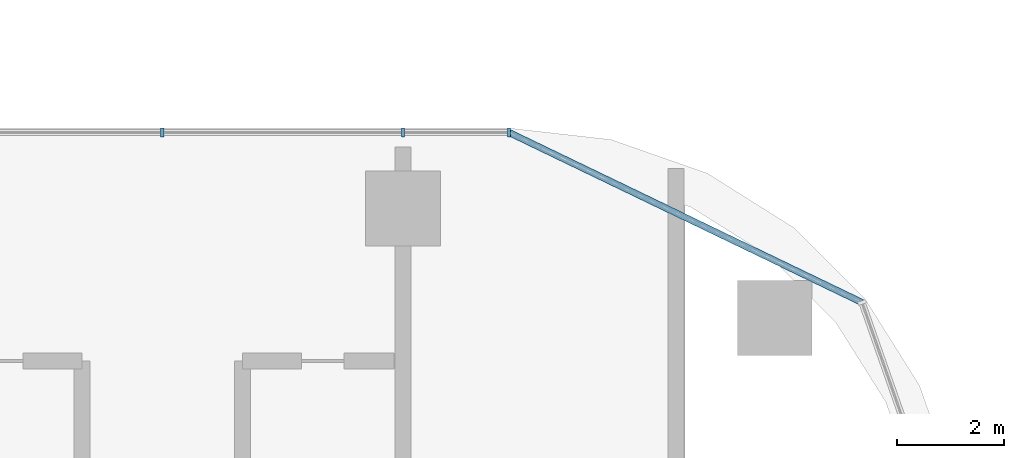
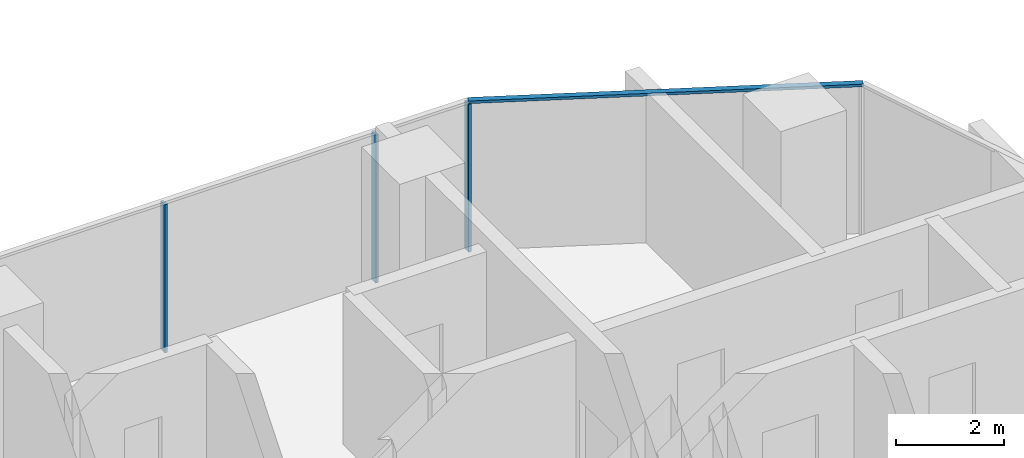
# One storey, part 5 of 33: 4 members, 2 elements without a shape of their own.
"""IFC4 building model written with IfcOpenShell, lengths in metres."""

import ifcopenshell
import ifcopenshell.guid

model = None  # the IFC model being written
_history = None  # IfcOwnerHistory: only IFC2X3 demands one
_inside = {}  # id of a spatial element -> (the spatial element, [elements in it])
_under = {}  # id of a project, library or spatial element -> (it, [spatial elements below it])
_declared = {}  # id of a project -> (the project, [libraries it declares])
_typed = {}  # id of a type object -> (the type object, [elements of that type])
_made_of = {}  # id of a material, layer set ... -> (it, [elements and type objects made of it])


def new_model(schema):
    """Start an empty IFC model of exactly this schema.

    Asked for "IFC4X3", IfcOpenShell would pick the latest addendum, in which some entities
    have other attributes; the version numbers below select the first issue.
    IFC2X3 requires an IfcOwnerHistory on every rooted entity: one is made here for all.
    """
    global model, _history
    if schema == "IFC4X3":
        model = ifcopenshell.file(schema_version=(4, 3, 0, 0))
    else:
        model = ifcopenshell.file(schema=schema)
    _inside.clear()
    _under.clear()
    _declared.clear()
    _typed.clear()
    _made_of.clear()
    _history = None
    if model.schema == "IFC2X3":
        org = make("IfcOrganization", Name="unknown")
        user = make(
            "IfcPersonAndOrganization",
            ThePerson=make("IfcPerson", FamilyName="unknown"),
            TheOrganization=org,
        )
        app = make(
            "IfcApplication",
            ApplicationDeveloper=org,
            Version="unknown",
            ApplicationFullName="unknown",
            ApplicationIdentifier="unknown",
        )
        _history = make(
            "IfcOwnerHistory",
            OwningUser=user,
            OwningApplication=app,
            ChangeAction="ADDED",
            CreationDate=0,
        )
    return model


def make(cls, **values):
    """One entity of the class cls with the attributes given. An attribute that is None is left unset."""
    return model.create_entity(
        cls, **{name: value for name, value in values.items() if value is not None}
    )


def rooted(cls, **values):
    """An entity with a GlobalId (a new one), such as an element, a storey or a relation."""
    return make(cls, GlobalId=ifcopenshell.guid.new(), OwnerHistory=_history, **values)


def si_unit(unit_type, name, prefix=None):
    """IfcSIUnit, for example si_unit("LENGTHUNIT", "METRE", prefix="MILLI")."""
    return make("IfcSIUnit", UnitType=unit_type, Prefix=prefix, Name=name)


def assignment(units):
    """IfcUnitAssignment: the units of a project."""
    return None if units is None else make("IfcUnitAssignment", Units=units)


def point(xyz):
    """IfcCartesianPoint."""
    return None if xyz is None else make("IfcCartesianPoint", Coordinates=xyz)


def direction(xyz):
    """IfcDirection."""
    return None if xyz is None else make("IfcDirection", DirectionRatios=xyz)


def frame(location, z_axis=None, x_axis=None):
    """IfcAxis2Placement3D, a coordinate frame: its origin and axes. An axis left out is left unset."""
    return make(
        "IfcAxis2Placement3D",
        Location=point(location),
        Axis=direction(z_axis),
        RefDirection=direction(x_axis),
    )


def frame_2d(location, x_axis=None):
    """IfcAxis2Placement2D, a coordinate frame in the plane: its origin and x axis."""
    return make(
        "IfcAxis2Placement2D", Location=point(location), RefDirection=direction(x_axis)
    )


def origin():
    """The frame at (0, 0, 0) with its axes left unset."""
    return frame((0.0, 0.0, 0.0))


def origin_2d():
    """The frame at (0, 0) in the plane with its x axis left unset."""
    return frame_2d((0.0, 0.0))


def place(relative_to, where):
    """IfcLocalPlacement: puts the frame where relative to a parent placement (None: the world)."""
    return make(
        "IfcLocalPlacement", PlacementRelTo=relative_to, RelativePlacement=where
    )


def context(
    kind, dimensions, precision=None, world=None, true_north=None, identifier=None
):
    """IfcGeometricRepresentationContext, for example the 3D "Model" context."""
    return make(
        "IfcGeometricRepresentationContext",
        ContextIdentifier=identifier,
        ContextType=kind,
        CoordinateSpaceDimension=dimensions,
        Precision=precision,
        WorldCoordinateSystem=world,
        TrueNorth=true_north,
    )


def subcontext(parent, identifier, kind, view, scale=None):
    """IfcGeometricRepresentationSubContext, for example "Body" below "Model"."""
    return make(
        "IfcGeometricRepresentationSubContext",
        ContextIdentifier=identifier,
        ContextType=kind,
        ParentContext=parent,
        TargetScale=scale,
        TargetView=view,
    )


def project(units=None, contexts=None):
    """IfcProject with its units and contexts."""
    return rooted(
        "IfcProject",
        Name="project",
        RepresentationContexts=contexts,
        UnitsInContext=assignment(units),
    )


def spatial(cls, under=None, at=None, **own):
    """A site, building, storey or space (cls), placed at a placement, below another one or the project."""
    s = rooted(cls, ObjectPlacement=at, **own)
    if under is not None:
        _under.setdefault(under.id(), (under, []))[1].append(s)
    return s


def profile(cls, at=None, kind="AREA", **sizes):
    """A parametric profile (cls). Its sizes go by their IFC names, for example OverallWidth=200.0."""
    return make(cls, ProfileType=kind, Position=at, **sizes)


def rectangle(**sizes):
    """IfcRectangleProfileDef."""
    return profile("IfcRectangleProfileDef", **sizes)


def extrude(swept, where, along, depth):
    """IfcExtrudedAreaSolid: the profile swept, set in the frame where, extruded along a direction by depth."""
    return make(
        "IfcExtrudedAreaSolid",
        SweptArea=swept,
        Position=where,
        ExtrudedDirection=direction(along),
        Depth=depth,
    )


def shape(context_of_items, identifier, shape_type, items):
    """IfcShapeRepresentation: the items that make up one representation, for example the "Body"."""
    return make(
        "IfcShapeRepresentation",
        ContextOfItems=context_of_items,
        RepresentationIdentifier=identifier,
        RepresentationType=shape_type,
        Items=items,
    )


def material(Name=None, Category=None):
    """IfcMaterial."""
    return make("IfcMaterial", Name=Name, Category=Category)


def material_profile(
    of_material, cross_section, Name=None, Category=None, Priority=None
):
    """IfcMaterialProfile: a cross section and its material."""
    return make(
        "IfcMaterialProfile",
        Name=Name,
        Material=of_material,
        Profile=cross_section,
        Priority=Priority,
        Category=Category,
    )


def profile_set(profiles, Name=None, composite=None):
    """IfcMaterialProfileSet."""
    return make(
        "IfcMaterialProfileSet",
        Name=Name,
        MaterialProfiles=profiles,
        CompositeProfile=composite,
    )


def made_of(thing, what):
    """Note that an element or type object is made of a material, layer set ...; save() writes the relation."""
    if what is not None:
        _made_of.setdefault(what.id(), (what, []))[1].append(thing)
    return thing


def type_object(cls, material=None, **own):
    """A type object (cls), such as IfcWallType, which elements share."""
    return made_of(rooted(cls, **own), material)


def element(
    cls,
    number,
    at=None,
    inside=None,
    cuts=None,
    type_object=None,
    material=None,
    context=None,
    identifier="Body",
    shape_type=None,
    held_by="IfcProductDefinitionShape",
    body=None,
    shapes=None,
    **own,
):
    """One element of the class cls, such as IfcWall. Its Tag is "e" and its number.

    at: its placement. inside: the storey or other place that contains it. cuts: it is an
    opening in that element (IfcRelVoidsElement). A single representation is given by context,
    identifier, shape_type and body (its items); several are given by shapes. held_by: the class
    of the entity that holds the representations. save() writes the other relations.
    """
    e = rooted(cls, Tag="e%d" % number, ObjectPlacement=at, **own)
    if body is not None:
        shapes = [shape(context, identifier, shape_type, body)]
    if shapes is not None:
        e.Representation = make(held_by, Representations=shapes)
    if inside is not None:
        _inside.setdefault(inside.id(), (inside, []))[1].append(e)
    if cuts is not None:
        rooted(
            "IfcRelVoidsElement", RelatingBuildingElement=cuts, RelatedOpeningElement=e
        )
    if type_object is not None:
        _typed.setdefault(type_object.id(), (type_object, []))[1].append(e)
    return made_of(e, material)


def aggregate(whole, parts):
    """IfcRelAggregates: a whole, such as a stair, and the parts it consists of."""
    return rooted("IfcRelAggregates", RelatingObject=whole, RelatedObjects=parts)


def save(model, path):
    """Write the relations noted so far, then the file.

    IfcRelAggregates (storeys below a building ...), IfcRelContainedInSpatialStructure (elements
    in a storey), IfcRelDefinesByType, IfcRelAssociatesMaterial and IfcRelDeclares: one each for
    every whole, place, type object, material and project.
    """
    for whole, parts in _under.values():
        aggregate(whole, parts)
    for where, things in _inside.values():
        rooted(
            "IfcRelContainedInSpatialStructure",
            RelatedElements=things,
            RelatingStructure=where,
        )
    for kind, things in _typed.values():
        rooted("IfcRelDefinesByType", RelatedObjects=things, RelatingType=kind)
    for what, things in _made_of.values():
        rooted("IfcRelAssociatesMaterial", RelatedObjects=things, RelatingMaterial=what)
    for by, libraries in _declared.values():
        rooted("IfcRelDeclares", RelatingContext=by, RelatedDefinitions=libraries)
    model.write(path)


model = new_model("IFC4")

# Units and contexts
model_context = context("Model", 3, precision=1e-05, world=origin(), true_north=direction((0.0, 1.0)))
body_context = subcontext(model_context, "Body", "Model", "MODEL_VIEW")
ifc_project = project(units=[si_unit("LENGTHUNIT", "METRE"), si_unit("AREAUNIT", "SQUARE_METRE"), si_unit("VOLUMEUNIT", "CUBIC_METRE"), si_unit("PLANEANGLEUNIT", "RADIAN"), si_unit("MASSUNIT", "GRAM", prefix="KILO")], contexts=[model_context])

# Site, building, storey
site_placement = place(None, origin())
site = spatial("IfcSite", under=ifc_project, at=site_placement, CompositionType="ELEMENT")
building_placement = place(site_placement, origin())
building = spatial("IfcBuilding", under=site, at=building_placement, Name="Ogive Portal Towers", CompositionType="ELEMENT")
storey_placement = place(building_placement, frame((0.0, 0.0, 77.89990234375)))
storey = spatial("IfcBuildingStorey", under=building, at=storey_placement, Name="L18", CompositionType="ELEMENT", Elevation=77.89990234375)

# Curtain wall, members
ifc_material_1 = material(Name="Glass, clear low-iron insulated glazing", Category="glass")
curtain_wall_type = type_object("IfcCurtainWallType", Name="CW FRONT RIBBON 4500", PredefinedType="NOTDEFINED", material=ifc_material_1)
curtain_wall_1_placement = place(storey_placement, origin())
curtain_wall_1 = element("IfcCurtainWall", 1, at=curtain_wall_1_placement, inside=storey, type_object=curtain_wall_type, Name="A:L18:f12:cw0", PredefinedType="NOTDEFINED")
ifc_material_2 = material(Name="Aluminium 6063 anodised", Category="aluminium")
ifc_material_profile_1 = material_profile(ifc_material_2, rectangle(XDim=0.159912109375, YDim=0.06005859375, at=origin_2d()), Name="AL 60x160")
ifc_profile_set_1 = profile_set([ifc_material_profile_1], Name="Aluminium 6063 anodised")
member_type_1 = type_object("IfcMemberType", Name="CW MULLION 60x160", PredefinedType="MULLION", material=ifc_profile_set_1)
member_1_placement = place(storey_placement, frame((87.481689453125, 40.919921875, 0.0), z_axis=(0.0, 0.0, 1.0), x_axis=(0.0, -1.0, 0.0)))
member_1 = element("IfcMember", 2, at=member_1_placement, type_object=member_type_1, Name="mullion", PredefinedType="MULLION", context=body_context, shape_type="SweptSolid", body=[
    extrude(rectangle(XDim=0.159912109375, YDim=0.06005859375, at=origin_2d()), origin(), (0.0, 0.0, 1.0), 3.340087890625),
])
member_2_placement = place(storey_placement, frame((85.5, 40.919921875, 0.0), z_axis=(0.0, 0.0, 1.0), x_axis=(0.0, -1.0, 0.0)))
member_2 = element("IfcMember", 3, at=member_2_placement, type_object=member_type_1, Name="mullion", PredefinedType="MULLION", context=body_context, shape_type="SweptSolid", body=[
    extrude(rectangle(XDim=0.159912109375, YDim=0.06005859375, at=origin_2d()), origin(), (0.0, 0.0, 1.0), 3.340087890625),
])
member_3_placement = place(storey_placement, frame((81.0, 40.919921875, 0.0), z_axis=(0.0, 0.0, 1.0), x_axis=(0.0, -1.0, 0.0)))
member_3 = element("IfcMember", 4, at=member_3_placement, type_object=member_type_1, Name="mullion", PredefinedType="MULLION", context=body_context, shape_type="SweptSolid", body=[
    extrude(rectangle(XDim=0.159912109375, YDim=0.06005859375, at=origin_2d()), origin(), (0.0, 0.0, 1.0), 3.340087890625),
])
aggregate(curtain_wall_1, [member_1, member_2, member_3])

# Curtain wall, member
curtain_wall_2_placement = place(storey_placement, origin())
curtain_wall_2 = element("IfcCurtainWall", 5, at=curtain_wall_2_placement, inside=storey, type_object=curtain_wall_type, Name="A:L18:f10:cwa", PredefinedType="NOTDEFINED")
ifc_material_profile_2 = material_profile(ifc_material_2, rectangle(XDim=0.1201171875, YDim=0.06005859375, at=origin_2d()), Name="AL 120x60")
ifc_profile_set_2 = profile_set([ifc_material_profile_2], Name="Aluminium 6063 anodised")
member_type_2 = type_object("IfcMemberType", Name="CW TRANSOM 60x120", PredefinedType="USERDEFINED", material=ifc_profile_set_2)
member_4_placement = place(storey_placement, frame((94.0810546875, 37.741943359375, 3.3701171875), z_axis=(-0.900974646757, 0.433871738997, 0.0), x_axis=(-0.433871738997, -0.900974646757, 0.0)))
member_4 = element("IfcMember", 6, at=member_4_placement, type_object=member_type_2, Name="transom", ObjectType="TRANSOM", PredefinedType="USERDEFINED", context=body_context, shape_type="SweptSolid", body=[
    extrude(rectangle(XDim=0.1201171875, YDim=0.06005859375, at=origin_2d()), origin(), (0.0, 0.0, 1.0), 7.32470703125),
])
aggregate(curtain_wall_2, [member_4])

save(model, "model.ifc")
